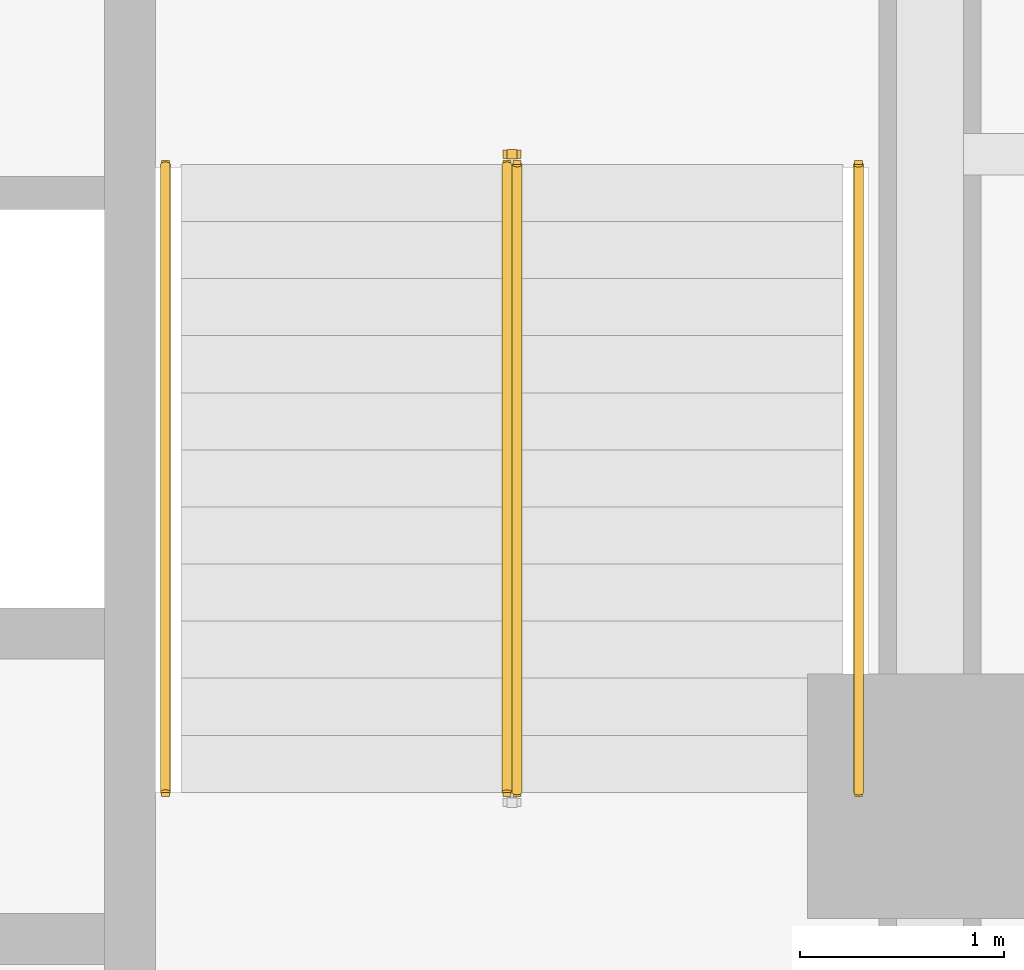
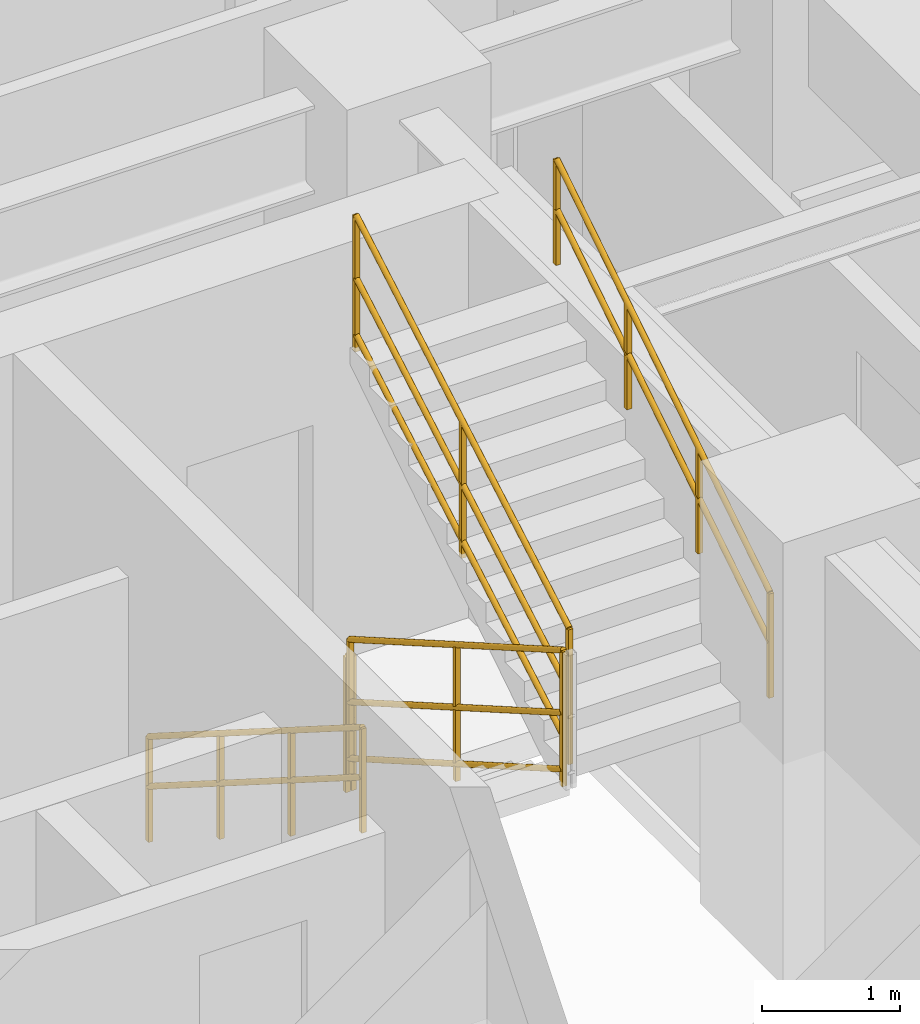
# One storey, part 10 of 11: 5 railings.
"""IFC4 building model written with IfcOpenShell, lengths in metres."""

from ifc_helpers import new_model, entity, si_unit, converted_unit, direction, frame, origin_with_axes, origin_2d_with_axis, place, context, subcontext, project, spatial, rectangle, circle, extrude, material, type_object, element, save


model = new_model("IFC4")

# Units and contexts
model_context = context("Model", 3, precision=1e-05, world=origin_with_axes(), true_north=direction((0.0, 1.0)))
body_context = subcontext(model_context, "Body", "Model", "MODEL_VIEW")
ifc_project = project(units=[si_unit("LENGTHUNIT", "METRE"), si_unit("AREAUNIT", "SQUARE_METRE"), si_unit("VOLUMEUNIT", "CUBIC_METRE"), converted_unit("PLANEANGLEUNIT", "DEGREE", entity("IfcPlaneAngleMeasure", 0.017453292519943295), si_unit("PLANEANGLEUNIT", "RADIAN"), dimensions=[0, 0, 0, 0, 0, 0, 0]), si_unit("MASSUNIT", "GRAM", prefix="KILO"), si_unit("THERMODYNAMICTEMPERATUREUNIT", "KELVIN")], contexts=[model_context])

# Site, building, storey
site_placement = place(None, origin_with_axes())
site = spatial("IfcSite", under=ifc_project, at=site_placement, CompositionType="ELEMENT")
building_placement = place(site_placement, origin_with_axes())
building = spatial("IfcBuilding", under=site, at=building_placement, Name="Varnlund Millrace Tower", CompositionType="ELEMENT")
storey_placement = place(building_placement, frame((0.0, 0.0, 104.7), z_axis=(0.0, 0.0, 1.0), x_axis=(1.0, 0.0, 0.0)))
storey = spatial("IfcBuildingStorey", under=building, at=storey_placement, Name="L25", CompositionType="ELEMENT", Elevation=104.7)

# Railings
ifc_material_1 = material(Name="Painted steel stair well balustrade guard", Category="steel")
railing_type_1 = type_object("IfcRailingType", Name="Type-StairGuard-1150", PredefinedType="GUARDRAIL", material=ifc_material_1)
railing_1_placement = place(storey_placement, frame((0.0, 0.0, -104.7), z_axis=(0.0, 0.0, 1.0), x_axis=(1.0, 0.0, 0.0)))
element("IfcRailing", 1, at=railing_1_placement, inside=storey, type_object=railing_type_1, Name="Type-StairGuard-1150", PredefinedType="GUARDRAIL", context=body_context, shape_type="SweptSolid", body=[
    extrude(circle(Radius=0.024, at=origin_2d_with_axis()), frame((45.975, 21.1, 106.027273), z_axis=(0.0, -0.866696, 0.498836), x_axis=(1.0, 0.0, 0.0)), (0.0, 0.0, 1.0), 3.553725),
    extrude(circle(Radius=0.024, at=origin_2d_with_axis()), frame((45.975, 21.1, 104.977273), z_axis=(0.0, -0.866696, 0.498836), x_axis=(1.0, 0.0, 0.0)), (0.0, 0.0, 1.0), 3.553725),
    extrude(circle(Radius=0.024, at=origin_2d_with_axis()), frame((45.975, 21.1, 105.475273), z_axis=(0.0, -0.866696, 0.498836), x_axis=(1.0, 0.0, 0.0)), (0.0, 0.0, 1.0), 3.553725),
    extrude(rectangle(XDim=0.04, YDim=0.04, at=origin_2d_with_axis()), frame((45.975, 21.1, 104.837273), z_axis=(0.0, 0.0, 1.0), x_axis=(1.0, 0.0, 0.0)), (0.0, 0.0, 1.0), 1.19),
    extrude(rectangle(XDim=0.04, YDim=0.04, at=origin_2d_with_axis()), frame((45.975, 19.56, 105.723636), z_axis=(0.0, 0.0, 1.0), x_axis=(1.0, 0.0, 0.0)), (0.0, 0.0, 1.0), 1.19),
    extrude(rectangle(XDim=0.04, YDim=0.04, at=origin_2d_with_axis()), frame((45.975, 18.02, 106.61), z_axis=(0.0, 0.0, 1.0), x_axis=(1.0, 0.0, 0.0)), (0.0, 0.0, 1.0), 1.19),
])
railing_2_placement = place(storey_placement, frame((0.0, 0.0, -104.7), z_axis=(0.0, 0.0, 1.0), x_axis=(1.0, 0.0, 0.0)))
element("IfcRailing", 2, at=railing_2_placement, inside=storey, type_object=railing_type_1, Name="Type-StairGuard-1150", PredefinedType="GUARDRAIL", context=body_context, shape_type="SweptSolid", body=[
    extrude(circle(Radius=0.024, at=origin_2d_with_axis()), frame((46.025, 18.02, 107.977273), z_axis=(0.0, 0.866696, 0.498836), x_axis=(-1.0, 0.0, 0.0)), (0.0, 0.0, 1.0), 3.553725),
    extrude(circle(Radius=0.024, at=origin_2d_with_axis()), frame((46.025, 18.02, 106.927273), z_axis=(0.0, 0.866696, 0.498836), x_axis=(-1.0, 0.0, 0.0)), (0.0, 0.0, 1.0), 3.553725),
    extrude(circle(Radius=0.024, at=origin_2d_with_axis()), frame((46.025, 18.02, 107.425273), z_axis=(0.0, 0.866696, 0.498836), x_axis=(-1.0, 0.0, 0.0)), (0.0, 0.0, 1.0), 3.553725),
    extrude(rectangle(XDim=0.04, YDim=0.04, at=origin_2d_with_axis()), frame((46.025, 18.02, 106.787273), z_axis=(0.0, 0.0, 1.0), x_axis=(1.0, 0.0, 0.0)), (0.0, 0.0, 1.0), 1.19),
    extrude(rectangle(XDim=0.04, YDim=0.04, at=origin_2d_with_axis()), frame((46.025, 19.56, 107.673636), z_axis=(0.0, 0.0, 1.0), x_axis=(1.0, 0.0, 0.0)), (0.0, 0.0, 1.0), 1.19),
    extrude(rectangle(XDim=0.04, YDim=0.04, at=origin_2d_with_axis()), frame((46.025, 21.1, 108.56), z_axis=(0.0, 0.0, 1.0), x_axis=(1.0, 0.0, 0.0)), (0.0, 0.0, 1.0), 1.19),
])
railing_3_placement = place(storey_placement, frame((0.0, 0.0, -104.7), z_axis=(0.0, 0.0, 1.0), x_axis=(1.0, 0.0, 0.0)))
element("IfcRailing", 3, at=railing_3_placement, inside=storey, type_object=railing_type_1, Name="Type-StairGuard-1150", PredefinedType="GUARDRAIL", context=body_context, shape_type="SweptSolid", body=[
    extrude(circle(Radius=0.024, at=origin_2d_with_axis()), frame((46.025, 21.15, 105.85), z_axis=(-1.0, 0.0, 0.0), x_axis=(0.0, -1.0, 0.0)), (0.0, 0.0, 1.0), 0.05),
    extrude(circle(Radius=0.024, at=origin_2d_with_axis()), frame((46.025, 21.15, 104.8), z_axis=(-1.0, 0.0, 0.0), x_axis=(0.0, -1.0, 0.0)), (0.0, 0.0, 1.0), 0.05),
    extrude(circle(Radius=0.024, at=origin_2d_with_axis()), frame((46.025, 21.15, 105.298), z_axis=(-1.0, 0.0, 0.0), x_axis=(0.0, -1.0, 0.0)), (0.0, 0.0, 1.0), 0.05),
    extrude(rectangle(XDim=0.04, YDim=0.04, at=origin_2d_with_axis()), frame((46.025, 21.15, 104.66), z_axis=(0.0, 0.0, 1.0), x_axis=(1.0, 0.0, 0.0)), (0.0, 0.0, 1.0), 1.19),
    extrude(rectangle(XDim=0.04, YDim=0.04, at=origin_2d_with_axis()), frame((45.975, 21.15, 104.66), z_axis=(0.0, 0.0, 1.0), x_axis=(1.0, 0.0, 0.0)), (0.0, 0.0, 1.0), 1.19),
])
ifc_material_2 = material(Name="Brushed architectural bronze stair handrail", Category="aluminium")
railing_type_2 = type_object("IfcRailingType", Name="Type-StairHandrail-900", PredefinedType="HANDRAIL", material=ifc_material_2)
railing_4_placement = place(storey_placement, frame((0.0, 0.0, -104.7), z_axis=(0.0, 0.0, 1.0), x_axis=(1.0, 0.0, 0.0)))
element("IfcRailing", 4, at=railing_4_placement, inside=storey, type_object=railing_type_2, Name="Type-StairHandrail-900", PredefinedType="HANDRAIL", context=body_context, shape_type="SweptSolid", body=[
    extrude(circle(Radius=0.024, at=origin_2d_with_axis()), frame((44.3, 21.1, 105.756995), z_axis=(0.0, -0.844902, 0.534922), x_axis=(1.0, 0.0, 0.0)), (0.0, 0.0, 1.0), 3.645394),
    extrude(circle(Radius=0.024, at=origin_2d_with_axis()), frame((44.3, 21.1, 105.317134), z_axis=(0.0, -0.844902, 0.534922), x_axis=(1.0, 0.0, 0.0)), (0.0, 0.0, 1.0), 3.645394),
    extrude(rectangle(XDim=0.04, YDim=0.04, at=origin_2d_with_axis()), frame((44.3, 21.1, 104.837273), z_axis=(0.0, 0.0, 1.0), x_axis=(1.0, 0.0, 0.0)), (0.0, 0.0, 1.0), 0.919722),
    extrude(rectangle(XDim=0.04, YDim=0.04, at=origin_2d_with_axis()), frame((44.3, 20.073333, 105.487273), z_axis=(0.0, 0.0, 1.0), x_axis=(1.0, 0.0, 0.0)), (0.0, 0.0, 1.0), 0.919722),
    extrude(rectangle(XDim=0.04, YDim=0.04, at=origin_2d_with_axis()), frame((44.3, 19.046667, 106.137273), z_axis=(0.0, 0.0, 1.0), x_axis=(1.0, 0.0, 0.0)), (0.0, 0.0, 1.0), 0.919722),
    extrude(rectangle(XDim=0.04, YDim=0.04, at=origin_2d_with_axis()), frame((44.3, 18.02, 106.787273), z_axis=(0.0, 0.0, 1.0), x_axis=(1.0, 0.0, 0.0)), (0.0, 0.0, 1.0), 0.919722),
])
railing_5_placement = place(storey_placement, frame((0.0, 0.0, -104.7), z_axis=(0.0, 0.0, 1.0), x_axis=(1.0, 0.0, 0.0)))
element("IfcRailing", 5, at=railing_5_placement, inside=storey, type_object=railing_type_2, Name="Type-StairHandrail-900", PredefinedType="HANDRAIL", context=body_context, shape_type="SweptSolid", body=[
    extrude(circle(Radius=0.024, at=origin_2d_with_axis()), frame((47.7, 18.02, 107.706995), z_axis=(0.0, 0.844902, 0.534922), x_axis=(-1.0, 0.0, 0.0)), (0.0, 0.0, 1.0), 3.645394),
    extrude(circle(Radius=0.024, at=origin_2d_with_axis()), frame((47.7, 18.02, 107.267134), z_axis=(0.0, 0.844902, 0.534922), x_axis=(-1.0, 0.0, 0.0)), (0.0, 0.0, 1.0), 3.645394),
    extrude(rectangle(XDim=0.04, YDim=0.04, at=origin_2d_with_axis()), frame((47.7, 18.02, 106.787273), z_axis=(0.0, 0.0, 1.0), x_axis=(1.0, 0.0, 0.0)), (0.0, 0.0, 1.0), 0.919722),
    extrude(rectangle(XDim=0.04, YDim=0.04, at=origin_2d_with_axis()), frame((47.7, 19.046667, 107.437273), z_axis=(0.0, 0.0, 1.0), x_axis=(1.0, 0.0, 0.0)), (0.0, 0.0, 1.0), 0.919722),
    extrude(rectangle(XDim=0.04, YDim=0.04, at=origin_2d_with_axis()), frame((47.7, 20.073333, 108.087273), z_axis=(0.0, 0.0, 1.0), x_axis=(1.0, 0.0, 0.0)), (0.0, 0.0, 1.0), 0.919722),
    extrude(rectangle(XDim=0.04, YDim=0.04, at=origin_2d_with_axis()), frame((47.7, 21.1, 108.737273), z_axis=(0.0, 0.0, 1.0), x_axis=(1.0, 0.0, 0.0)), (0.0, 0.0, 1.0), 0.919722),
])

save(model, "model.ifc")
